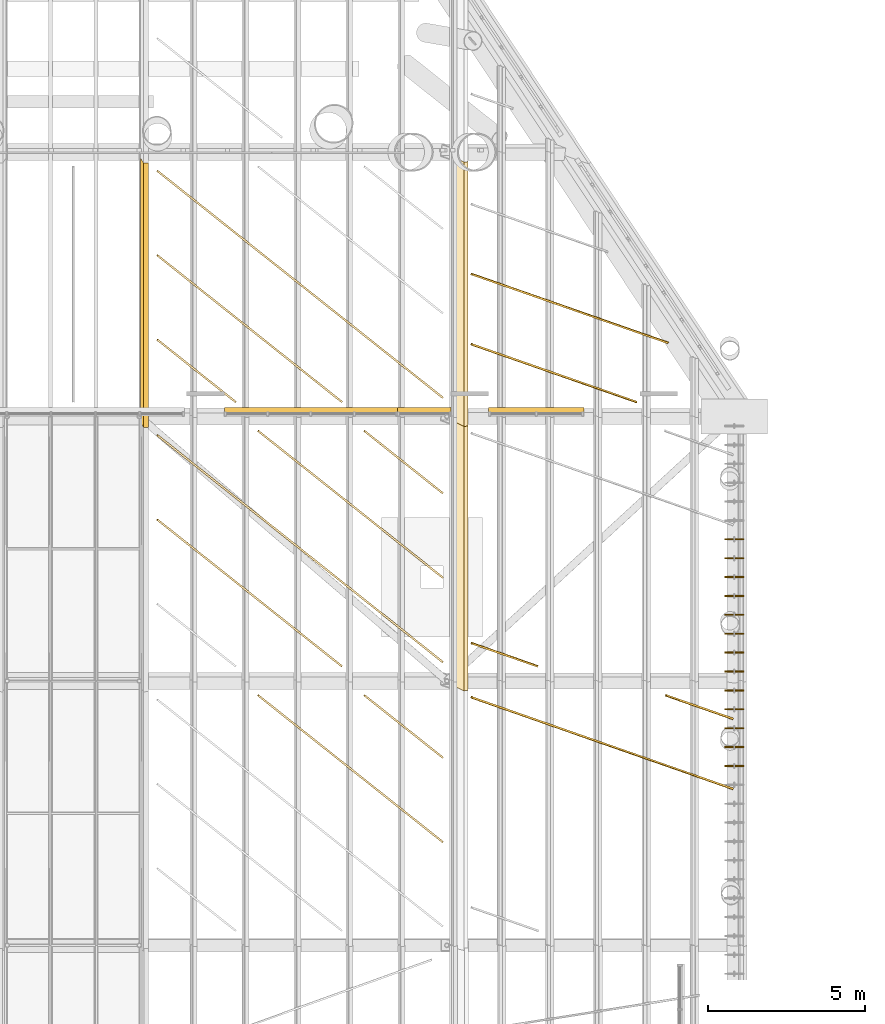
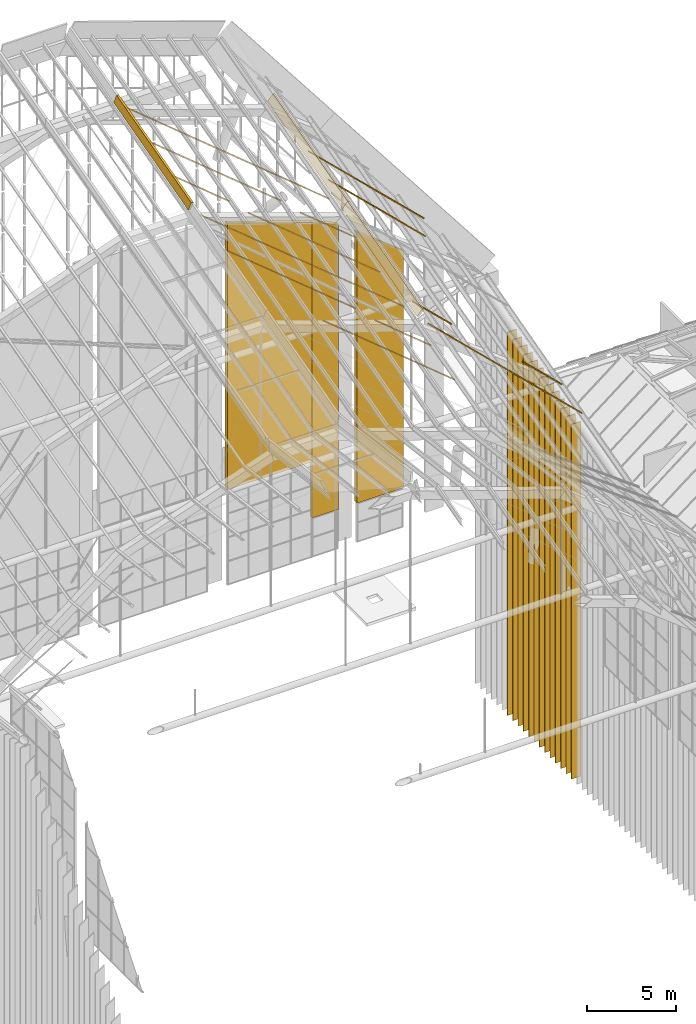
# One storey, part 116 of 126: 20 coverings, 13 shading devices.
"""IFC4 building model written with IfcOpenShell, lengths in metres."""

from ifc_helpers import new_model, si_unit, direction, frame, origin, origin_2d, place, context, subcontext, project, spatial, polyline, rectangle, outline, extrude, material, layer, layer_set, material_profile, profile_set, type_object, element, save


model = new_model("IFC4")

# Units and contexts
model_context = context("Model", 3, precision=1e-05, world=origin(), true_north=direction((0.0, 1.0)))
body_context = subcontext(model_context, "Body", "Model", "MODEL_VIEW")
ifc_project = project(units=[si_unit("LENGTHUNIT", "METRE"), si_unit("AREAUNIT", "SQUARE_METRE"), si_unit("VOLUMEUNIT", "CUBIC_METRE"), si_unit("PLANEANGLEUNIT", "RADIAN"), si_unit("MASSUNIT", "GRAM", prefix="KILO")], contexts=[model_context])

# Site, building, storey
site_placement = place(None, origin())
site = spatial("IfcSite", under=ifc_project, at=site_placement, CompositionType="ELEMENT")
building_placement = place(site_placement, origin())
building = spatial("IfcBuilding", under=site, at=building_placement, Name="Sava Quay Ferry Terminal", CompositionType="ELEMENT")
storey_placement = place(building_placement, frame((0.0, 0.0, 15.0)))
storey = spatial("IfcBuildingStorey", under=building, at=storey_placement, Name="L03", CompositionType="ELEMENT", Elevation=15.0)

# Coverings
ifc_material_1 = material(Name="Copper patinated")
ifc_layer_1 = layer(ifc_material_1, 0.25)
ifc_layer_set_1 = layer_set([ifc_layer_1], Name="Copper patinated")
covering_type_1 = type_object("IfcCoveringType", Name="Copper spandrel panel 250", PredefinedType="CLADDING", material=ifc_layer_set_1)
covering_1_placement = place(storey_placement, frame((67.800048828125, 100.9599609375, 6.550048828125), z_axis=(0.0, 0.0, 1.0), x_axis=(1.0, 0.0, 0.0)))
element("IfcCovering", 1, at=covering_1_placement, inside=storey, type_object=covering_type_1, Name="Spandrel panel D-N", PredefinedType="CLADDING", context=body_context, shape_type="SweptSolid", body=[
    extrude(outline(polyline([(0.0, 0.0), (5.5, 0.0), (5.5, 16.4208984375), (0.0, 18.314697265625), (0.0, 0.0)])), frame((0.0, 0.125, 0.0), z_axis=(0.0, -1.0, 0.0), x_axis=(1.0, 0.0, 0.0)), (0.0, 0.0, 1.0), 0.25),
])
covering_2_placement = place(storey_placement, frame((73.300048828125, 100.9599609375, 2.699951171875), z_axis=(0.0, 0.0, 1.0), x_axis=(1.0, 0.0, 0.0)))
element("IfcCovering", 2, at=covering_2_placement, inside=storey, type_object=covering_type_1, Name="Spandrel panel D-N", PredefinedType="CLADDING", context=body_context, shape_type="SweptSolid", body=[
    extrude(outline(polyline([(0.0, 0.0), (1.699951171875, 0.0), (1.699951171875, 19.567138671875), (0.0, 20.27099609375), (0.0, 0.0)])), frame((0.0, 0.125, 0.0), z_axis=(0.0, -1.0, 0.0), x_axis=(1.0, 0.0, 0.0)), (0.0, 0.0, 1.0), 0.25),
])
covering_3_placement = place(storey_placement, frame((76.199951171875, 100.9599609375, 2.699951171875), z_axis=(0.0, 0.0, 1.0), x_axis=(1.0, 0.0, 0.0)))
element("IfcCovering", 3, at=covering_3_placement, inside=storey, type_object=covering_type_1, Name="Spandrel panel D-N", PredefinedType="CLADDING", context=body_context, shape_type="SweptSolid", body=[
    extrude(outline(polyline([(0.0, 0.0), (3.02001953125, 0.0), (3.02001953125, 16.270263671875), (0.0, 18.629638671875), (0.0, 0.0)])), frame((0.0, 0.125, 0.0), z_axis=(0.0, -1.0, 0.0), x_axis=(1.0, 0.0, 0.0)), (0.0, 0.0, 1.0), 0.25),
])
ifc_material_2 = material(Name="Steel S355", Category="steel")
ifc_material_profile_1 = material_profile(ifc_material_2, rectangle(XDim=0.14990234375, YDim=0.60009765625, at=origin_2d()), Name="Cap 150 x 600")
ifc_profile_set_1 = profile_set([ifc_material_profile_1], Name="Steel S355")
covering_type_2 = type_object("IfcCoveringType", Name="Crease capping 150x600", PredefinedType="MOLDING", material=ifc_profile_set_1)
for number, where, z_axis, x_axis, name in (
    (4, (75.3427734375, 92.162353515625, 21.3291015625), (0.0, 0.964560390264, 0.263862186629), (-0.885499005285, -0.122601262026, 0.448174566646), "Departure hall crease capping bay 6 crease 4"),
    (5, (65.262451171875, 100.53515625, 27.090576171875), (0.0, 0.964553254836, 0.263888269132), (-0.987174546341, -0.042128351011, 0.153985769138), "Departure hall crease capping bay 7 crease 3"),
):
    element("IfcCovering", number, at=place(storey_placement, frame(where, z_axis=z_axis, x_axis=x_axis)), inside=storey, type_object=covering_type_2, Name=name, PredefinedType="MOLDING", context=body_context, shape_type="SweptSolid", body=[
        extrude(rectangle(XDim=0.14990234375, YDim=0.60009765625, at=origin_2d()), origin(), (0.0, 0.0, 1.0), 8.70849609375),
    ])
covering_4_placement = place(storey_placement, frame((75.3427734375, 100.562255859375, 23.626953125), z_axis=(0.0, 0.964555206992, 0.26388113359), x_axis=(-0.885499005285, -0.122610065566, 0.448172158284)))
element("IfcCovering", 6, at=covering_4_placement, inside=storey, type_object=covering_type_2, Name="Departure hall crease capping bay 7 crease 4", PredefinedType="MOLDING", context=body_context, shape_type="SweptSolid", body=[
    extrude(rectangle(XDim=0.14990234375, YDim=0.60009765625, at=origin_2d()), origin(), (0.0, 0.0, 1.0), 8.708740234375),
])
ifc_material_3 = material(Name="Zinc standing seam")
ifc_layer_2 = layer(ifc_material_3, 0.0400390625)
ifc_layer_set_2 = layer_set([ifc_layer_2], Name="Zinc standing seam")
covering_type_3 = type_object("IfcCoveringType", Name="Roof seam rib 60", PredefinedType="ROOFING", material=ifc_layer_set_2)
covering_5_placement = place(storey_placement, frame((74.726318359375, 89.9375, 20.6552734375), z_axis=(0.314843198752, -0.250890674005, 0.915383870241), x_axis=(-0.716750582979, 0.5693825999, 0.40258173919)))
element("IfcCovering", 7, at=covering_5_placement, inside=storey, type_object=covering_type_3, Name="Roof seam rib", PredefinedType="ROOFING", context=body_context, shape_type="SweptSolid", body=[
    extrude(outline(polyline([(0.0, 0.0), (3.475667541702413, -4.135147085859714e-16), (3.4754092090368927, -0.06008973902708223), (9.164320507459855e-05, -0.059785926697085476), (0.0, 0.0)])), origin(), (0.0, 0.0, -1.0), 0.0400390625),
])
covering_6_placement = place(storey_placement, frame((74.726318359375, 87.25537109375, 19.92138671875), z_axis=(0.315242788241, -0.250388152119, 0.915383940071), x_axis=(-0.716722761407, 0.569417459449, 0.402581967004)))
element("IfcCovering", 8, at=covering_6_placement, inside=storey, type_object=covering_type_3, Name="Roof seam rib", PredefinedType="ROOFING", context=body_context, shape_type="SweptSolid", body=[
    extrude(outline(polyline([(0.0, 0.0), (8.185774952581665, -4.707334782388939e-16), (8.185694281126311, -0.05993782416651164), (9.430968756837799e-05, -0.05978595957853004), (0.0, 0.0)])), origin(), (0.0, 0.0, -1.0), 0.0400390625),
])
covering_7_placement = place(storey_placement, frame((83.95947265625, 91.167236328125, 13.9951171875), z_axis=(0.602037155286, -0.210194006802, 0.770304967633), x_axis=(-0.727018544127, 0.254585912604, 0.637675504939)))
element("IfcCovering", 9, at=covering_7_placement, inside=storey, type_object=covering_type_3, Name="Roof seam rib", PredefinedType="ROOFING", context=body_context, shape_type="SweptSolid", body=[
    extrude(outline(polyline([(0.0, 0.0), (2.9239039898587773, -1.919037845299343e-17), (2.9239468193631346, -0.05999353832201872), (4.2829504356996576e-05, -0.05999353832201865), (0.0, 0.0)])), origin(), (0.0, 0.0, -1.0), 0.0400390625),
])
covering_8_placement = place(storey_placement, frame((83.95947265625, 88.9423828125, 13.38623046875), z_axis=(0.60189110877, -0.21059688903, 0.770309057142), x_axis=(-0.727029996951, 0.254565196381, 0.637670717789)))
element("IfcCovering", 10, at=covering_8_placement, inside=storey, type_object=covering_type_3, Name="Roof seam rib", PredefinedType="ROOFING", context=body_context, shape_type="SweptSolid", body=[
    extrude(outline(polyline([(0.0, 0.0), (11.426137042875656, -1.2435798918408736e-16), (11.426178472516128, -0.05999353379710794), (-2.0720065674131177e-05, -0.059763102613800904), (0.0, 0.0)])), origin(), (0.0, 0.0, -1.0), 0.0400390625),
])
covering_9_placement = place(storey_placement, frame((74.726318359375, 98.33740234375, 22.953369140625), z_axis=(0.315430774287, -0.250056520549, 0.915409833443), x_axis=(-0.716770823647, 0.569398707765, 0.402522916072)))
element("IfcCovering", 11, at=covering_9_placement, inside=storey, type_object=covering_type_3, Name="Roof seam rib", PredefinedType="ROOFING", context=body_context, shape_type="SweptSolid", body=[
    extrude(outline(polyline([(0.0, 0.0), (3.475569267269443, 2.5348646792711094e-16), (3.4754499420147873, -0.06028081784247249), (0.00023066049907874073, -0.05997716224868765), (0.0, 0.0)])), origin(), (0.0, 0.0, -1.0), 0.0400390625),
])
covering_10_placement = place(storey_placement, frame((74.726318359375, 95.6552734375, 22.219482421875), z_axis=(0.315875823073, -0.249591000096, 0.915383415334), x_axis=(-0.716722755449, 0.56941746084, 0.402581975642)))
element("IfcCovering", 12, at=covering_10_placement, inside=storey, type_object=covering_type_3, Name="Roof seam rib", PredefinedType="ROOFING", context=body_context, shape_type="SweptSolid", body=[
    extrude(outline(polyline([(0.0, 0.0), (8.185774952581303, -2.6454533008646308e-17), (8.185833299348488, -0.06012897514209972), (0.00023332790865197156, -0.05997718897560183), (0.0, 0.0)])), origin(), (0.0, 0.0, -1.0), 0.0400390625),
])
covering_11_placement = place(storey_placement, frame((74.726318359375, 92.97314453125, 21.48583984375), z_axis=(0.315860603972, -0.249578974641, 0.915391945713), x_axis=(-0.716728306273, 0.569424188488, 0.402562577187)))
element("IfcCovering", 13, at=covering_11_placement, inside=storey, type_object=covering_type_3, Name="Roof seam rib", PredefinedType="ROOFING", context=body_context, shape_type="SweptSolid", body=[
    extrude(outline(polyline([(0.0, 0.0), (12.65582581733496, 1.1527237497865883e-15), (12.655884273760346, -0.06012897503678234), (0.00023343892203640457, -0.05997718854482056), (0.0, 0.0)])), origin(), (0.0, 0.0, -1.0), 0.0400390625),
])
covering_12_placement = place(storey_placement, frame((71.5224609375, 92.83642578125, 22.551513671875), z_axis=(0.315135144881, -0.250471050217, 0.915398325028), x_axis=(-0.716719499255, 0.569444691902, 0.402549254443)))
element("IfcCovering", 14, at=covering_12_placement, inside=storey, type_object=covering_type_3, Name="Roof seam rib", PredefinedType="ROOFING", context=body_context, shape_type="SweptSolid", body=[
    extrude(outline(polyline([(0.0, 0.0), (8.185815692454504, 6.540178554975684e-16), (8.18573641937321, -0.059937830587119004), (5.97515016911819e-05, -0.06012897835244012), (0.0, 0.0)])), origin(), (0.0, 0.0, -1.0), 0.0400390625),
])
covering_13_placement = place(storey_placement, frame((77.75, 92.831787109375, 19.3017578125), z_axis=(0.601318572307, -0.212153522264, 0.770329057994), x_axis=(-0.727034796181, 0.254614530263, 0.63764554897)))
element("IfcCovering", 15, at=covering_13_placement, inside=storey, type_object=covering_type_3, Name="Roof seam rib", PredefinedType="ROOFING", context=body_context, shape_type="SweptSolid", body=[
    extrude(outline(polyline([(0.0, 0.0), (2.8852819695764085, -9.974659986866641e-17), (2.885263936861611, -0.05976306393609952), (-0.00019553144433358434, -0.05984397597721742), (0.0, 0.0)])), origin(), (0.0, 0.0, -1.0), 0.0400390625),
])
covering_14_placement = place(storey_placement, frame((74.726318359375, 101.373291015625, 23.78369140625), z_axis=(0.315240258337, -0.250386142689, 0.915385360967), x_axis=(-0.716722744092, 0.569419765502, 0.402578736096)))
element("IfcCovering", 16, at=covering_14_placement, inside=storey, type_object=covering_type_3, Name="Roof seam rib", PredefinedType="ROOFING", context=body_context, shape_type="SweptSolid", body=[
    extrude(outline(polyline([(0.0, 0.0), (12.655924100506725, 7.007740741860058e-16), (12.655843537794384, -0.05993782431296887), (9.441842635459288e-05, -0.05978595940709934), (0.0, 0.0)])), origin(), (0.0, 0.0, -1.0), 0.0400390625),
])
covering_15_placement = place(storey_placement, frame((71.5224609375, 101.236572265625, 24.849609375), z_axis=(0.314820447245, -0.250872543899, 0.915396664138), x_axis=(-0.716732848826, 0.569425473338, 0.402552671991)))
element("IfcCovering", 17, at=covering_15_placement, inside=storey, type_object=covering_type_3, Name="Roof seam rib", PredefinedType="ROOFING", context=body_context, shape_type="SweptSolid", body=[
    extrude(outline(polyline([(0.0, 0.0), (8.185676670160415, -3.142017895862992e-16), (8.185595997555563, -0.059937836518162736), (-8.067260485303263e-05, -0.05993783651816227), (0.0, 0.0)])), origin(), (0.0, 0.0, -1.0), 0.0400390625),
])
covering_16_placement = place(storey_placement, frame((68.146484375, 101.236572265625, 26.011962890625), z_axis=(0.31515429108, -0.250486267716, 0.915387569557), x_axis=(-0.716726159676, 0.569419019872, 0.402573709827)))
element("IfcCovering", 18, at=covering_16_placement, inside=storey, type_object=covering_type_3, Name="Roof seam rib", PredefinedType="ROOFING", context=body_context, shape_type="SweptSolid", body=[
    extrude(outline(polyline([(0.0, 0.0), (3.475492556952352, -3.3911133449915365e-16), (3.4755508500199452, -0.06012897978308696), (-8.072524780569981e-05, -0.05993782864796164), (0.0, 0.0)])), origin(), (0.0, 0.0, -1.0), 0.0400390625),
])
covering_17_placement = place(storey_placement, frame((81.892578125, 103.108154296875, 18.87646484375), z_axis=(0.601629679154, -0.211348357117, 0.770307471796), x_axis=(-0.727025811082, 0.254572815287, 0.637672448626)))
element("IfcCovering", 19, at=covering_17_placement, inside=storey, type_object=covering_type_3, Name="Roof seam rib", PredefinedType="ROOFING", context=body_context, shape_type="SweptSolid", body=[
    extrude(outline(polyline([(0.0, 0.0), (8.583297132283628, -2.5890747878953846e-16), (8.583339076240884, -0.05999349399616508), (-0.0001355525786516272, -0.06007427289414524), (0.0, 0.0)])), origin(), (0.0, 0.0, -1.0), 0.0400390625),
])
covering_18_placement = place(storey_placement, frame((80.897216796875, 101.231689453125, 19.140869140625), z_axis=(0.602037223827, -0.210194030733, 0.770304907534), x_axis=(-0.727017162494, 0.254589680838, 0.637675575705)))
element("IfcCovering", 20, at=covering_18_placement, inside=storey, type_object=covering_type_3, Name="Roof seam rib", PredefinedType="ROOFING", context=body_context, shape_type="SweptSolid", body=[
    extrude(outline(polyline([(0.0, 0.0), (7.214235533154658, 1.218643241873707e-16), (7.214278603416473, -0.05999353814965801), (4.3070261815840796e-05, -0.05999353814965833), (0.0, 0.0)])), origin(), (0.0, 0.0, -1.0), 0.0400390625),
])

# Shading devices
ifc_material_4 = material(Name="Aluminium bronze anodised", Category="aluminium")
ifc_material_profile_2 = material_profile(ifc_material_4, rectangle(XDim=0.0400390625, YDim=0.60009765625, at=origin_2d()), Name="Vertical brise-soleil blade 40x600")
ifc_profile_set_2 = profile_set([ifc_material_profile_2], Name="Aluminium bronze anodised")
shading_device_type = type_object("IfcShadingDeviceType", Name="Vertical brise-soleil blade 40x600", PredefinedType="USERDEFINED", material=ifc_profile_set_2)
shading_device_1_placement = place(storey_placement, frame((84.0, 89.699951171875, -12.10009765625), z_axis=(0.0, 0.0, 1.0), x_axis=(0.0, 1.0, 0.0)))
element("IfcShadingDevice", 21, at=shading_device_1_placement, inside=storey, type_object=shading_device_type, Name="Brise-soleil blade D-E 66", ObjectType="BRISE-SOLEIL BLADE", PredefinedType="USERDEFINED", context=body_context, shape_type="SweptSolid", body=[
    extrude(rectangle(XDim=0.0400390625, YDim=0.60009765625, at=origin_2d()), origin(), (0.0, 0.0, 1.0), 24.33984375),
])
shading_device_2_placement = place(storey_placement, frame((84.0, 90.300048828125, -12.10009765625), z_axis=(0.0, 0.0, 1.0), x_axis=(0.0, 1.0, 0.0)))
element("IfcShadingDevice", 22, at=shading_device_2_placement, inside=storey, type_object=shading_device_type, Name="Brise-soleil blade D-E 67", ObjectType="BRISE-SOLEIL BLADE", PredefinedType="USERDEFINED", context=body_context, shape_type="SweptSolid", body=[
    extrude(rectangle(XDim=0.0400390625, YDim=0.60009765625, at=origin_2d()), origin(), (0.0, 0.0, 1.0), 24.504150390625),
])
shading_device_3_placement = place(storey_placement, frame((84.0, 90.89990234375, -12.10009765625), z_axis=(0.0, 0.0, 1.0), x_axis=(0.0, 1.0, 0.0)))
element("IfcShadingDevice", 23, at=shading_device_3_placement, inside=storey, type_object=shading_device_type, Name="Brise-soleil blade D-E 68", ObjectType="BRISE-SOLEIL BLADE", PredefinedType="USERDEFINED", context=body_context, shape_type="SweptSolid", body=[
    extrude(rectangle(XDim=0.0400390625, YDim=0.60009765625, at=origin_2d()), origin(), (0.0, 0.0, 1.0), 24.668212890625),
])
shading_device_4_placement = place(storey_placement, frame((84.0, 91.5, -12.10009765625), z_axis=(0.0, 0.0, 1.0), x_axis=(0.0, 1.0, 0.0)))
element("IfcShadingDevice", 24, at=shading_device_4_placement, inside=storey, type_object=shading_device_type, Name="Brise-soleil blade D-E 69", ObjectType="BRISE-SOLEIL BLADE", PredefinedType="USERDEFINED", context=body_context, shape_type="SweptSolid", body=[
    extrude(rectangle(XDim=0.0400390625, YDim=0.60009765625, at=origin_2d()), origin(), (0.0, 0.0, 1.0), 24.832275390625),
])
shading_device_5_placement = place(storey_placement, frame((84.0, 92.10009765625, -12.10009765625), z_axis=(0.0, 0.0, 1.0), x_axis=(0.0, 1.0, 0.0)))
element("IfcShadingDevice", 25, at=shading_device_5_placement, inside=storey, type_object=shading_device_type, Name="Brise-soleil blade D-E 70", ObjectType="BRISE-SOLEIL BLADE", PredefinedType="USERDEFINED", context=body_context, shape_type="SweptSolid", body=[
    extrude(rectangle(XDim=0.0400390625, YDim=0.60009765625, at=origin_2d()), origin(), (0.0, 0.0, 1.0), 24.99658203125),
])
shading_device_6_placement = place(storey_placement, frame((84.0, 92.699951171875, -12.10009765625), z_axis=(0.0, 0.0, 1.0), x_axis=(0.0, 1.0, 0.0)))
element("IfcShadingDevice", 26, at=shading_device_6_placement, inside=storey, type_object=shading_device_type, Name="Brise-soleil blade D-E 71", ObjectType="BRISE-SOLEIL BLADE", PredefinedType="USERDEFINED", context=body_context, shape_type="SweptSolid", body=[
    extrude(rectangle(XDim=0.0400390625, YDim=0.60009765625, at=origin_2d()), origin(), (0.0, 0.0, 1.0), 25.16064453125),
])
shading_device_7_placement = place(storey_placement, frame((84.0, 93.300048828125, -12.10009765625), z_axis=(0.0, 0.0, 1.0), x_axis=(0.0, 1.0, 0.0)))
element("IfcShadingDevice", 27, at=shading_device_7_placement, inside=storey, type_object=shading_device_type, Name="Brise-soleil blade D-E 72", ObjectType="BRISE-SOLEIL BLADE", PredefinedType="USERDEFINED", context=body_context, shape_type="SweptSolid", body=[
    extrude(rectangle(XDim=0.0400390625, YDim=0.60009765625, at=origin_2d()), origin(), (0.0, 0.0, 1.0), 25.32470703125),
])
shading_device_8_placement = place(storey_placement, frame((84.0, 93.89990234375, -12.10009765625), z_axis=(0.0, 0.0, 1.0), x_axis=(0.0, 1.0, 0.0)))
element("IfcShadingDevice", 28, at=shading_device_8_placement, inside=storey, type_object=shading_device_type, Name="Brise-soleil blade D-E 73", ObjectType="BRISE-SOLEIL BLADE", PredefinedType="USERDEFINED", context=body_context, shape_type="SweptSolid", body=[
    extrude(rectangle(XDim=0.0400390625, YDim=0.60009765625, at=origin_2d()), origin(), (0.0, 0.0, 1.0), 25.489013671875),
])
shading_device_9_placement = place(storey_placement, frame((84.0, 94.5, -12.10009765625), z_axis=(0.0, 0.0, 1.0), x_axis=(0.0, 1.0, 0.0)))
element("IfcShadingDevice", 29, at=shading_device_9_placement, inside=storey, type_object=shading_device_type, Name="Brise-soleil blade D-E 74", ObjectType="BRISE-SOLEIL BLADE", PredefinedType="USERDEFINED", context=body_context, shape_type="SweptSolid", body=[
    extrude(rectangle(XDim=0.0400390625, YDim=0.60009765625, at=origin_2d()), origin(), (0.0, 0.0, 1.0), 25.653076171875),
])
shading_device_10_placement = place(storey_placement, frame((84.0, 95.10009765625, -12.10009765625), z_axis=(0.0, 0.0, 1.0), x_axis=(0.0, 1.0, 0.0)))
element("IfcShadingDevice", 30, at=shading_device_10_placement, inside=storey, type_object=shading_device_type, Name="Brise-soleil blade D-E 75", ObjectType="BRISE-SOLEIL BLADE", PredefinedType="USERDEFINED", context=body_context, shape_type="SweptSolid", body=[
    extrude(rectangle(XDim=0.0400390625, YDim=0.60009765625, at=origin_2d()), origin(), (0.0, 0.0, 1.0), 25.817138671875),
])
shading_device_11_placement = place(storey_placement, frame((84.0, 95.699951171875, -12.10009765625), z_axis=(0.0, 0.0, 1.0), x_axis=(0.0, 1.0, 0.0)))
element("IfcShadingDevice", 31, at=shading_device_11_placement, inside=storey, type_object=shading_device_type, Name="Brise-soleil blade D-E 76", ObjectType="BRISE-SOLEIL BLADE", PredefinedType="USERDEFINED", context=body_context, shape_type="SweptSolid", body=[
    extrude(rectangle(XDim=0.0400390625, YDim=0.60009765625, at=origin_2d()), origin(), (0.0, 0.0, 1.0), 25.9814453125),
])
shading_device_12_placement = place(storey_placement, frame((84.0, 96.300048828125, -12.10009765625), z_axis=(0.0, 0.0, 1.0), x_axis=(0.0, 1.0, 0.0)))
element("IfcShadingDevice", 32, at=shading_device_12_placement, inside=storey, type_object=shading_device_type, Name="Brise-soleil blade D-E 77", ObjectType="BRISE-SOLEIL BLADE", PredefinedType="USERDEFINED", context=body_context, shape_type="SweptSolid", body=[
    extrude(rectangle(XDim=0.0400390625, YDim=0.60009765625, at=origin_2d()), origin(), (0.0, 0.0, 1.0), 26.1455078125),
])
shading_device_13_placement = place(storey_placement, frame((84.0, 96.89990234375, -12.10009765625), z_axis=(0.0, 0.0, 1.0), x_axis=(0.0, 1.0, 0.0)))
element("IfcShadingDevice", 33, at=shading_device_13_placement, inside=storey, type_object=shading_device_type, Name="Brise-soleil blade D-E 78", ObjectType="BRISE-SOLEIL BLADE", PredefinedType="USERDEFINED", context=body_context, shape_type="SweptSolid", body=[
    extrude(rectangle(XDim=0.0400390625, YDim=0.60009765625, at=origin_2d()), origin(), (0.0, 0.0, 1.0), 26.3095703125),
])

save(model, "model.ifc")
